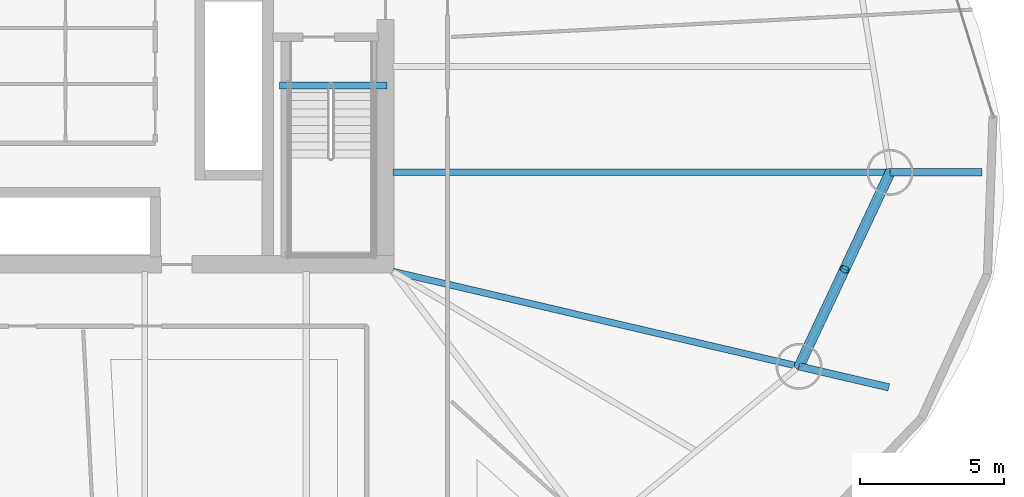
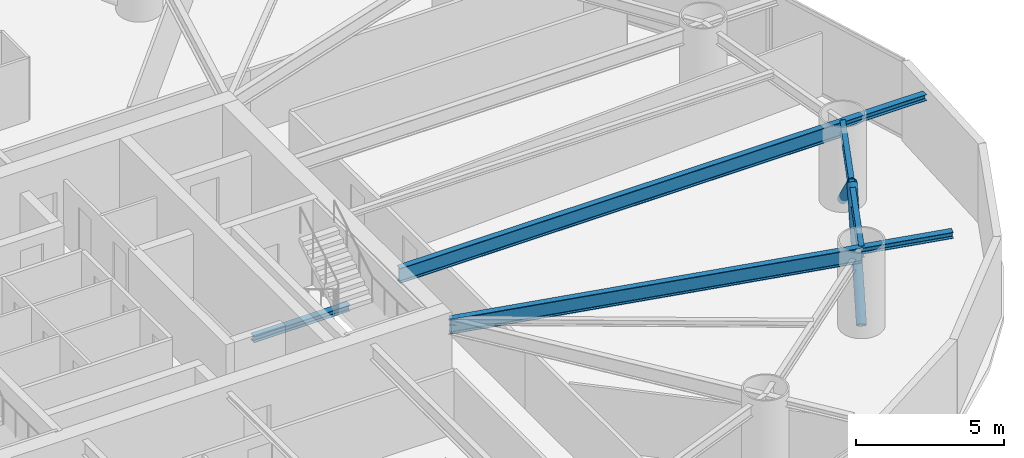
# One storey, part 12 of 30: 6 beams, 2 members.
"""IFC4 building model written with IfcOpenShell, lengths in metres."""

from ifc_helpers import new_model, si_unit, direction, frame, origin, origin_2d, place, context, subcontext, project, spatial, hollow_circle, i_section, extrude, material, material_profile, profile_set, type_object, element, save


model = new_model("IFC4")

# Units and contexts
model_context = context("Model", 3, precision=1e-05, world=origin(), true_north=direction((0.0, 1.0)))
body_context = subcontext(model_context, "Body", "Model", "MODEL_VIEW")
ifc_project = project(units=[si_unit("LENGTHUNIT", "METRE"), si_unit("AREAUNIT", "SQUARE_METRE"), si_unit("VOLUMEUNIT", "CUBIC_METRE"), si_unit("PLANEANGLEUNIT", "RADIAN"), si_unit("MASSUNIT", "GRAM", prefix="KILO")], contexts=[model_context])

# Site, building, storey
site_placement = place(None, origin())
site = spatial("IfcSite", under=ifc_project, at=site_placement, CompositionType="ELEMENT")
building_placement = place(site_placement, origin())
building = spatial("IfcBuilding", under=site, at=building_placement, Name="Bramvorn Convention Spire", CompositionType="ELEMENT")
storey_placement = place(building_placement, frame((0.0, 0.0, 86.89990234375)))
storey = spatial("IfcBuildingStorey", under=building, at=storey_placement, Name="L20", CompositionType="ELEMENT", Elevation=86.89990234375)

# Beams
ifc_material = material(Name="Steel CSA G40.21 Grade 350 (350W)", Category="steel")
ifc_material_profile_1 = material_profile(ifc_material, i_section(OverallWidth=0.25390625, OverallDepth=0.2529296875, WebThickness=0.008544921875, FlangeThickness=0.01416015625, FilletRadius=0.011962890625, at=origin_2d()))
ifc_profile_set_1 = profile_set([ifc_material_profile_1], Name="Steel CSA G40.21 Grade 350 (350W) - W250X73")
beam_type_1 = type_object("IfcBeamType", Name="BM-W250X73", PredefinedType="BEAM", material=ifc_profile_set_1)
beam_1_placement = place(storey_placement, frame((66.519775390625, 21.99169921875, 3.12353515625), z_axis=(1.0, 0.0, 0.0), x_axis=(0.0, 1.0, 0.0)))
element("IfcBeam", 1, at=beam_1_placement, inside=storey, type_object=beam_type_1, Name="L20 slab-edge cantilever tip beam MC01", PredefinedType="BEAM", context=body_context, shape_type="SweptSolid", body=[
    extrude(i_section(OverallWidth=0.25390625, OverallDepth=0.2529296875, WebThickness=0.008544921875, FlangeThickness=0.01416015625, FilletRadius=0.011962890625, at=origin_2d()), origin(), (0.0, 0.0, 1.0), 3.199951171875),
])
beam_2_placement = place(storey_placement, frame((63.35888671875, 15.253662109375, 3.12353515625), z_axis=(0.973778145797, -0.227499720367, 0.0), x_axis=(0.227499720367, 0.973778145797, 0.0)))
element("IfcBeam", 2, at=beam_2_placement, inside=storey, type_object=beam_type_1, Name="L20 slab-edge cantilever tip beam MC16", PredefinedType="BEAM", context=body_context, shape_type="SweptSolid", body=[
    extrude(i_section(OverallWidth=0.25390625, OverallDepth=0.2529296875, WebThickness=0.008544921875, FlangeThickness=0.01416015625, FilletRadius=0.011962890625, at=origin_2d()), origin(), (0.0, 0.0, 1.0), 3.2001953125),
])
beam_3_placement = place(storey_placement, frame((45.31005859375, 25.010009765625, -0.12646484375), z_axis=(1.0, 0.0, 0.0), x_axis=(0.0, 1.0, 0.0)))
element("IfcBeam", 3, at=beam_3_placement, inside=storey, type_object=beam_type_1, Name="L20 ST2 stair arrival header beam", PredefinedType="BEAM", context=body_context, shape_type="SweptSolid", body=[
    extrude(i_section(OverallWidth=0.25390625, OverallDepth=0.2529296875, WebThickness=0.008544921875, FlangeThickness=0.01416015625, FilletRadius=0.011962890625, at=origin_2d()), origin(), (0.0, 0.0, 1.0), 3.739990234375),
])
ifc_material_profile_2 = material_profile(ifc_material, i_section(OverallWidth=0.194091796875, OverallDepth=0.468994140625, WebThickness=0.0126953125, FlangeThickness=0.0205078125, FilletRadius=0.01806640625, at=origin_2d()))
ifc_profile_set_2 = profile_set([ifc_material_profile_2], Name="Steel CSA G40.21 Grade 350 (350W) - W460X106")
beam_type_2 = type_object("IfcBeamType", Name="BM-W460X106", PredefinedType="SPANDREL", material=ifc_profile_set_2)
beam_4_placement = place(storey_placement, frame((63.35888671875, 15.253662109375, 3.015625), z_axis=(0.424701955478, 0.9053332254, 0.0), x_axis=(-0.9053332254, 0.424701955478, 0.0)))
element("IfcBeam", 4, at=beam_4_placement, inside=storey, type_object=beam_type_2, Name="L20 mega-column ring beam 16", PredefinedType="SPANDREL", context=body_context, shape_type="SweptSolid", body=[
    extrude(i_section(OverallWidth=0.194091796875, OverallDepth=0.468994140625, WebThickness=0.0126953125, FlangeThickness=0.0205078125, FilletRadius=0.01806640625, at=origin_2d()), origin(), (0.0, 0.0, 1.0), 7.442626953125),
])
ifc_material_profile_3 = material_profile(ifc_material, i_section(OverallWidth=0.22998046875, OverallDepth=0.616943359375, WebThickness=0.01318359375, FlangeThickness=0.022216796875, FilletRadius=0.02001953125, at=origin_2d()))
ifc_profile_set_3 = profile_set([ifc_material_profile_3], Name="Steel CSA G40.21 Grade 350 (350W) - W610X140")
beam_type_3 = type_object("IfcBeamType", Name="BM-W610X140", PredefinedType="BEAM", material=ifc_profile_set_3)
beam_5_placement = place(storey_placement, frame((49.25, 21.99169921875, 2.941650390625), z_axis=(1.0, 0.0, 0.0), x_axis=(0.0, 1.0, 0.0)))
element("IfcBeam", 5, at=beam_5_placement, inside=storey, type_object=beam_type_3, Name="L20 radial floor girder MC01", PredefinedType="BEAM", context=body_context, shape_type="SweptSolid", body=[
    extrude(i_section(OverallWidth=0.22998046875, OverallDepth=0.616943359375, WebThickness=0.01318359375, FlangeThickness=0.022216796875, FilletRadius=0.02001953125, at=origin_2d()), origin(), (0.0, 0.0, 1.0), 17.269775390625),
])
beam_6_placement = place(storey_placement, frame((49.25, 18.550048828125, 2.941650390625), z_axis=(0.973775294862, -0.227511923018, 0.0), x_axis=(0.227511923018, 0.973775294862, 0.0)))
element("IfcBeam", 6, at=beam_6_placement, inside=storey, type_object=beam_type_3, Name="L20 radial floor girder MC16", PredefinedType="BEAM", context=body_context, shape_type="SweptSolid", body=[
    extrude(i_section(OverallWidth=0.22998046875, OverallDepth=0.616943359375, WebThickness=0.01318359375, FlangeThickness=0.022216796875, FilletRadius=0.02001953125, at=origin_2d()), origin(), (0.0, 0.0, 1.0), 14.48876953125),
])

# Members
ifc_material_profile_4 = material_profile(ifc_material, hollow_circle(Radius=0.177734375, WallThickness=0.015869140625, at=origin_2d()))
ifc_profile_set_4 = profile_set([ifc_material_profile_4], Name="Steel CSA G40.21 Grade 350 (350W) - CHS356X16")
member_type = type_object("IfcMemberType", Name="MBR-CHS356X16", PredefinedType="BRACE", material=ifc_profile_set_4)
for number, where, z_axis, x_axis, name in (
    (7, (63.35888671875, 15.253662109375, 0.0), (0.319854623913, 0.681908513826, 0.65779464754), (-0.905351753695, 0.424662456643, 0.0), "L20 perimeter Gothic lancet brace 16A"),
    (8, (66.519775390625, 21.99169921875, 0.0), (-0.319909760159, -0.681871297566, 0.657806414465), (0.905314694797, -0.424741454752, 0.0), "L20 perimeter Gothic lancet brace 16B"),
):
    element("IfcMember", number, at=place(storey_placement, frame(where, z_axis=z_axis, x_axis=x_axis)), inside=storey, type_object=member_type, Name=name, PredefinedType="BRACE", context=body_context, shape_type="SweptSolid", body=[
        extrude(hollow_circle(Radius=0.177734375, WallThickness=0.015869140625, at=origin_2d()), origin(), (0.0, 0.0, 1.0), 4.940673828125),
    ])

save(model, "model.ifc")
